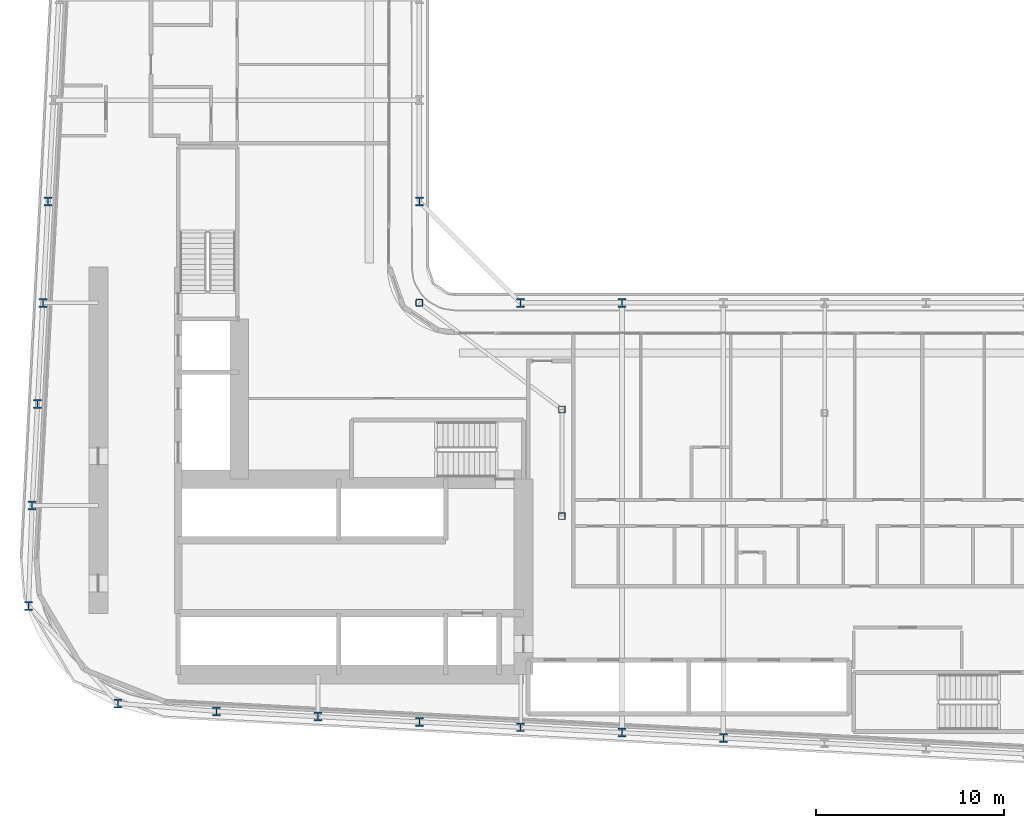
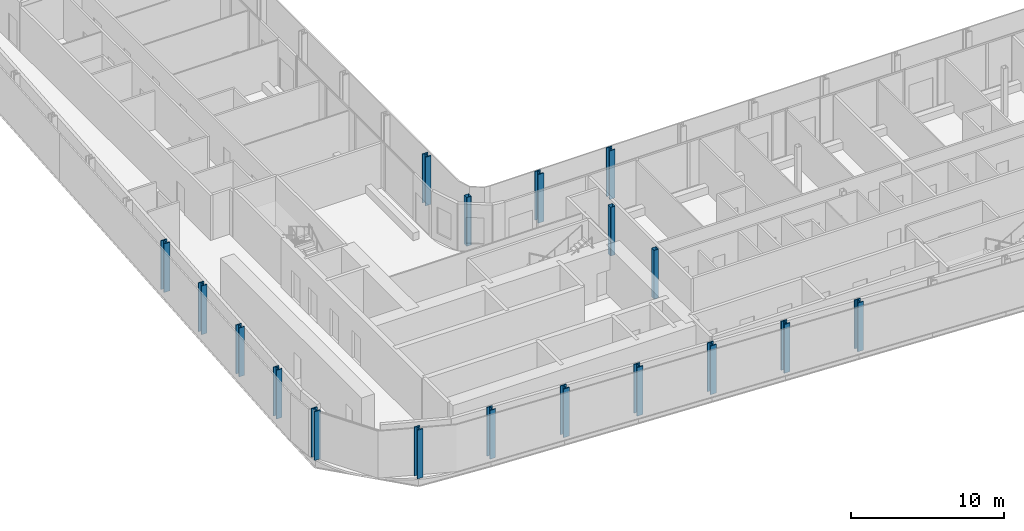
# One storey, part 1 of 29: 18 columns.
"""IFC4 building model written with IfcOpenShell, lengths in metres."""

from ifc_helpers import new_model, si_unit, direction, frame, origin, origin_2d, place, context, subcontext, project, spatial, hollow_rectangle, i_section, extrude, material, material_profile, profile_set, type_object, element, save


model = new_model("IFC4")

# Units and contexts
model_context = context("Model", 3, precision=1e-05, world=origin(), true_north=direction((0.0, 1.0)))
body_context = subcontext(model_context, "Body", "Model", "MODEL_VIEW")
ifc_project = project(units=[si_unit("LENGTHUNIT", "METRE"), si_unit("AREAUNIT", "SQUARE_METRE"), si_unit("VOLUMEUNIT", "CUBIC_METRE"), si_unit("PLANEANGLEUNIT", "RADIAN"), si_unit("MASSUNIT", "GRAM", prefix="KILO")], contexts=[model_context])

# Site, building, storey
site_placement = place(None, origin())
site = spatial("IfcSite", under=ifc_project, at=site_placement, CompositionType="ELEMENT")
building_placement = place(site_placement, origin())
building = spatial("IfcBuilding", under=site, at=building_placement, Name="Kheshtan School and Residences Tower", CompositionType="ELEMENT")
storey_placement = place(building_placement, frame((0.0, 0.0, 65.60009765625)))
storey = spatial("IfcBuildingStorey", under=building, at=storey_placement, Name="L15", CompositionType="ELEMENT", Elevation=65.60009765625)

# Columns
ifc_material_1 = material(Name="Steel ASTM A992 Grade 50", Category="steel")
ifc_material_profile_1 = material_profile(ifc_material_1, i_section(OverallWidth=0.424072265625, OverallDepth=0.47412109375, WebThickness=0.047607421875, FlangeThickness=0.0771484375, FilletRadius=0.01416015625, at=origin_2d()), Name="W360x634")
ifc_profile_set_1 = profile_set([ifc_material_profile_1], Name="Steel ASTM A992 Grade 50")
column_type_1 = type_object("IfcColumnType", Name="Column C1 W360x634 ASTM A992 Grade 50", PredefinedType="COLUMN", material=ifc_profile_set_1)
for number, where, z_axis, x_axis, name in (
    (1, (63.800048828125, 22.410888671875, 0.0), (0.0, 0.0, 1.0), (1.0, 0.0, 0.0), "Column C016"),
    (2, (58.39990234375, 22.695068359375, 0.0), (0.0, 0.0, 1.0), (1.0, 0.0, 0.0), "Column C018"),
    (3, (53.0, 22.97998046875, 0.0), (0.0, 0.0, 1.0), (1.0, 0.0, 0.0), "Column C019"),
    (4, (47.60009765625, 23.263916015625, 0.0), (0.0, 0.0, 1.0), (1.0, 0.0, 0.0), "Column C020"),
    (5, (42.199951171875, 23.548095703125, 0.0), (0.0, 0.0, 1.0), (1.0, 0.0, 0.0), "Column C021"),
    (6, (36.800048828125, 23.83203125, 0.0), (0.0, 0.0, 1.0), (1.0, 0.0, 0.0), "Column C022"),
    (7, (31.5419921875, 24.257080078125, 0.0), (0.0, 0.0, 1.0), (1.0, 0.0, 0.0), "Column C025"),
    (8, (26.76904296875, 29.4541015625, 0.0), (0.0, 0.0, 1.0), (1.0, 0.0, 0.0), "Column C038"),
    (9, (26.968994140625, 34.800048828125, 0.0), (0.0, 0.0, 1.0), (1.0, 0.0, 0.0), "Column C052"),
    (10, (27.2529296875, 40.199951171875, 0.0), (0.0, 0.0, 1.0), (1.0, 0.0, 0.0), "Column C056"),
    (11, (27.537109375, 45.60009765625, 0.0), (0.0, 0.0, 1.0), (1.0, 0.0, 0.0), "Column C059"),
    (12, (53.0, 45.60009765625, 0.0), (0.0, 0.0, 1.0), (1.0, 0.0, 0.0), "Column C061"),
    (13, (58.39990234375, 45.60009765625, 0.0), (0.0, 0.0, 1.0), (1.0, 0.0, 0.0), "Column C062"),
    (14, (27.822021484375, 51.0, 0.0), (0.0, 0.0, 1.0), (1.0, 0.0, 0.0), "Column C078"),
    (15, (47.60009765625, 51.0, 0.0), (0.0, 0.0, 1.0), (1.0, 0.0, 0.0), "Column C079"),
):
    element("IfcColumn", number, at=place(storey_placement, frame(where, z_axis=z_axis, x_axis=x_axis)), inside=storey, type_object=column_type_1, Name=name, PredefinedType="COLUMN", context=body_context, shape_type="SweptSolid", body=[
        extrude(i_section(OverallWidth=0.424072265625, OverallDepth=0.47412109375, WebThickness=0.047607421875, FlangeThickness=0.0771484375, FilletRadius=0.01416015625, at=origin_2d()), origin(), (0.0, 0.0, 1.0), 3.89990234375),
    ])
ifc_material_2 = material(Name="Steel ASTM A500 Grade C", Category="steel")
ifc_material_profile_2 = material_profile(ifc_material_2, hollow_rectangle(XDim=0.35595703125, YDim=0.35595703125, WallThickness=0.015869140625, InnerFilletRadius=0.015869140625, OuterFilletRadius=0.03173828125, at=origin_2d()), Name="HSS 356x356x15.9")
ifc_profile_set_2 = profile_set([ifc_material_profile_2], Name="Steel ASTM A500 Grade C")
column_type_2 = type_object("IfcColumnType", Name="Column IC1 HSS 356x356x15.9 ASTM A500 Grade C", PredefinedType="COLUMN", material=ifc_profile_set_2)
for number, where, z_axis, x_axis, name in (
    (16, (55.199951171875, 34.23193359375, 0.0), (0.0, 0.0, 1.0), (1.0, 0.0, 0.0), "Column C051"),
    (17, (55.199951171875, 39.916015625, 0.0), (0.0, 0.0, 1.0), (1.0, 0.0, 0.0), "Column C055"),
    (18, (47.60009765625, 45.60009765625, 0.0), (0.0, 0.0, 1.0), (1.0, 0.0, 0.0), "Column C060"),
):
    element("IfcColumn", number, at=place(storey_placement, frame(where, z_axis=z_axis, x_axis=x_axis)), inside=storey, type_object=column_type_2, Name=name, PredefinedType="COLUMN", context=body_context, shape_type="SweptSolid", body=[
        extrude(hollow_rectangle(XDim=0.35595703125, YDim=0.35595703125, WallThickness=0.015869140625, InnerFilletRadius=0.015869140625, OuterFilletRadius=0.03173828125, at=origin_2d()), origin(), (0.0, 0.0, 1.0), 3.89990234375),
    ])

save(model, "model.ifc")
